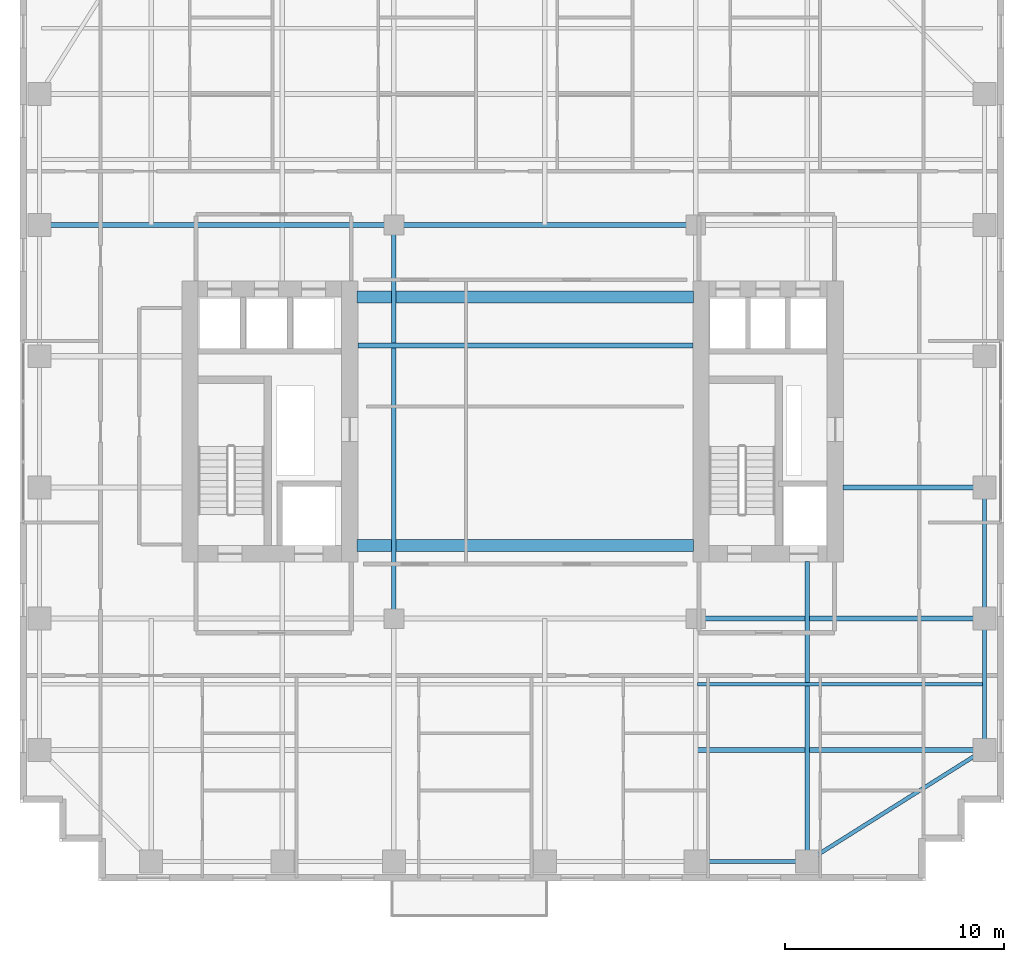
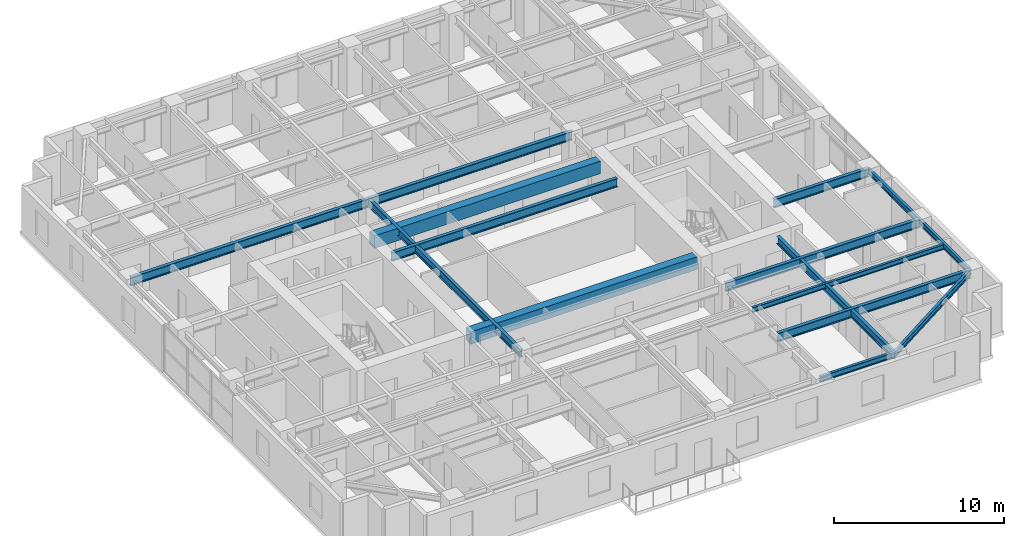
# One storey, part 3 of 15: 15 beams.
"""IFC4 building model written with IfcOpenShell, lengths in metres."""

from ifc_helpers import new_model, si_unit, direction, frame, origin, origin_2d, place, context, subcontext, project, spatial, rectangle, i_section, extrude, source, transform, mapped, material, material_profile, profile_set, type_object, element, save


model = new_model("IFC4")

# Units and contexts
model_context = context("Model", 3, precision=1e-05, world=origin(), true_north=direction((0.0, 1.0)))
body_context = subcontext(model_context, "Body", "Model", "MODEL_VIEW")
ifc_project = project(units=[si_unit("LENGTHUNIT", "METRE"), si_unit("AREAUNIT", "SQUARE_METRE"), si_unit("VOLUMEUNIT", "CUBIC_METRE"), si_unit("PLANEANGLEUNIT", "RADIAN"), si_unit("MASSUNIT", "GRAM", prefix="KILO")], contexts=[model_context])

# Site, building, storey
site_placement = place(None, origin())
site = spatial("IfcSite", under=ifc_project, at=site_placement, CompositionType="ELEMENT")
building_placement = place(site_placement, origin())
building = spatial("IfcBuilding", under=site, at=building_placement, Name="Khoralis Quay Care Tower", CompositionType="ELEMENT")
storey_placement = place(building_placement, frame((0.0, 0.0, 123.300048828125)))
storey = spatial("IfcBuildingStorey", under=building, at=storey_placement, Name="L32", CompositionType="ELEMENT", Elevation=123.300048828125)

# Beams
ifc_material_1 = material(Name="Concrete C65/80", Category="concrete")
ifc_material_profile_1 = material_profile(ifc_material_1, rectangle(XDim=0.550048828125, YDim=0.89990234375, at=origin_2d()), Name="Concrete C65/80")
ifc_profile_set_1 = profile_set([ifc_material_profile_1], Name="Concrete C65/80")
beam_type_1 = type_object("IfcBeamType", Name="CB-RC550X900", PredefinedType="LINTEL", material=ifc_profile_set_1)
shared_shape_1 = source(origin(), body_context, "Body", "SweptSolid", [
    extrude(rectangle(XDim=0.550048828125, YDim=0.89990234375, at=origin_2d()), origin(), (0.0, 0.0, 1.0), 15.380126953125),
])
for number, where, z_axis, x_axis, name in (
    (1, (15.419921875, 15.35009765625, 2.889892578125), (1.0, 0.0, 0.0), (0.0, 1.0, 0.0), "L32 South Core Coupling Lintel"),
    (2, (15.419921875, 26.699951171875, 2.889892578125), (1.0, 0.0, 0.0), (0.0, 1.0, 0.0), "L32 North Core Coupling Lintel"),
):
    element("IfcBeam", number, at=place(storey_placement, frame(where, z_axis=z_axis, x_axis=x_axis)), inside=storey, type_object=beam_type_1, Name=name, PredefinedType="LINTEL", context=body_context, shape_type="MappedRepresentation", body=[
        mapped(shared_shape_1, transform((0.0, 0.0, 0.0), scale=1.0)),
    ])
ifc_material_2 = material(Name="Steel S355", Category="steel")
ifc_material_profile_2 = material_profile(ifc_material_2, i_section(OverallWidth=0.179931640625, OverallDepth=0.39990234375, WebThickness=0.008544921875, FlangeThickness=0.013427734375, FilletRadius=0.02099609375, at=origin_2d()), Name="Steel S355")
ifc_profile_set_2 = profile_set([ifc_material_profile_2], Name="Steel S355")
beam_type_2 = type_object("IfcBeamType", Name="BM-IPE400", PredefinedType="SPANDREL", material=ifc_profile_set_2)
shared_shape_2 = source(origin(), body_context, "Body", "SweptSolid", [
    extrude(i_section(OverallWidth=0.179931640625, OverallDepth=0.39990234375, WebThickness=0.008544921875, FlangeThickness=0.013427734375, FilletRadius=0.02099609375, at=origin_2d()), origin(), (0.0, 0.0, 1.0), 6.0),
])
for number, where, z_axis, x_axis, name in (
    (3, (44.10009765625, 6.0, 3.139892578125), (0.0, 1.0, 0.0), (-1.0, 0.0, 0.0), "BM-TSP-L32-16"),
    (4, (44.10009765625, 12.0, 3.139892578125), (0.0, 1.0, 0.0), (-1.0, 0.0, 0.0), "BM-TSP-L32-17"),
):
    element("IfcBeam", number, at=place(storey_placement, frame(where, z_axis=z_axis, x_axis=x_axis)), inside=storey, type_object=beam_type_2, Name=name, PredefinedType="SPANDREL", context=body_context, shape_type="MappedRepresentation", body=[
        mapped(shared_shape_2, transform((0.0, 0.0, 0.0), scale=1.0)),
    ])
shared_shape_3 = source(origin(), body_context, "Body", "SweptSolid", [
    extrude(i_section(OverallWidth=0.179931640625, OverallDepth=0.39990234375, WebThickness=0.008544921875, FlangeThickness=0.013427734375, FilletRadius=0.02099609375, at=origin_2d()), origin(), (0.0, 0.0, 1.0), 5.10009765625),
])
beam_1_placement = place(storey_placement, frame((30.89990234375, 0.89990234375, 3.139892578125), z_axis=(1.0, 0.0, 0.0), x_axis=(0.0, 1.0, 0.0)))
element("IfcBeam", 5, at=beam_1_placement, inside=storey, type_object=beam_type_2, Name="BM-TSP-L32-05", PredefinedType="SPANDREL", context=body_context, shape_type="MappedRepresentation", body=[
    mapped(shared_shape_3, transform((0.0, 0.0, 0.0), scale=1.0)),
])
shared_shape_4 = source(origin(), body_context, "Body", "SweptSolid", [
    extrude(i_section(OverallWidth=0.179931640625, OverallDepth=0.39990234375, WebThickness=0.008544921875, FlangeThickness=0.013427734375, FilletRadius=0.02099609375, at=origin_2d()), origin(), (0.0, 0.0, 1.0), 9.572021484375),
])
beam_2_placement = place(storey_placement, frame((36.0, 0.89990234375, 3.139892578125), z_axis=(0.846231136359, 0.532815975602, 0.0), x_axis=(-0.532815975602, 0.846231136359, 0.0)))
element("IfcBeam", 6, at=beam_2_placement, inside=storey, type_object=beam_type_2, Name="BM-TCR-L32-22", PredefinedType="SPANDREL", context=body_context, shape_type="MappedRepresentation", body=[
    mapped(shared_shape_4, transform((0.0, 0.0, 0.0), scale=1.0)),
])
ifc_material_profile_3 = material_profile(ifc_material_2, i_section(OverallWidth=0.22998046875, OverallDepth=0.616943359375, WebThickness=0.01318359375, FlangeThickness=0.022216796875, FilletRadius=0.01806640625, at=origin_2d()), Name="Steel S355")
ifc_profile_set_3 = profile_set([ifc_material_profile_3], Name="Steel S355")
beam_type_3 = type_object("IfcBeamType", Name="BM-W610X140", PredefinedType="BEAM", material=ifc_profile_set_3)
shared_shape_5 = source(origin(), body_context, "Body", "SweptSolid", [
    extrude(i_section(OverallWidth=0.22998046875, OverallDepth=0.616943359375, WebThickness=0.01318359375, FlangeThickness=0.022216796875, FilletRadius=0.01806640625, at=origin_2d()), origin(), (0.0, 0.0, 1.0), 16.2001953125),
])
beam_3_placement = place(storey_placement, frame((0.89990234375, 30.0, 3.031494140625), z_axis=(1.0, 0.0, 0.0), x_axis=(0.0, 1.0, 0.0)))
element("IfcBeam", 7, at=beam_3_placement, inside=storey, type_object=beam_type_3, Name="BM-TGXW-L32-300", PredefinedType="BEAM", context=body_context, shape_type="MappedRepresentation", body=[
    mapped(shared_shape_5, transform((0.0, 0.0, 0.0), scale=1.0)),
])
shared_shape_6 = source(origin(), body_context, "Body", "SweptSolid", [
    extrude(i_section(OverallWidth=0.22998046875, OverallDepth=0.616943359375, WebThickness=0.01318359375, FlangeThickness=0.022216796875, FilletRadius=0.01806640625, at=origin_2d()), origin(), (0.0, 0.0, 1.0), 13.106201171875),
])
beam_4_placement = place(storey_placement, frame((30.993896484375, 6.0, 3.031494140625), z_axis=(1.0, 0.0, 0.0), x_axis=(0.0, 1.0, 0.0)))
element("IfcBeam", 8, at=beam_4_placement, inside=storey, type_object=beam_type_3, Name="BM-TGXE-L32-60", PredefinedType="BEAM", context=body_context, shape_type="MappedRepresentation", body=[
    mapped(shared_shape_6, transform((0.0, 0.0, 0.0), scale=1.0)),
])
shared_shape_7 = source(origin(), body_context, "Body", "SweptSolid", [
    extrude(i_section(OverallWidth=0.22998046875, OverallDepth=0.616943359375, WebThickness=0.01318359375, FlangeThickness=0.022216796875, FilletRadius=0.01806640625, at=origin_2d()), origin(), (0.0, 0.0, 1.0), 13.2001953125),
])
beam_5_placement = place(storey_placement, frame((30.89990234375, 12.0, 3.031494140625), z_axis=(1.0, 0.0, 0.0), x_axis=(0.0, 1.0, 0.0)))
element("IfcBeam", 9, at=beam_5_placement, inside=storey, type_object=beam_type_3, Name="BM-TGXE-L32-120", PredefinedType="BEAM", context=body_context, shape_type="MappedRepresentation", body=[
    mapped(shared_shape_7, transform((0.0, 0.0, 0.0), scale=1.0)),
])
shared_shape_8 = source(origin(), body_context, "Body", "SweptSolid", [
    extrude(i_section(OverallWidth=0.22998046875, OverallDepth=0.616943359375, WebThickness=0.01318359375, FlangeThickness=0.022216796875, FilletRadius=0.01806640625, at=origin_2d()), origin(), (0.0, 0.0, 1.0), 6.4521484375),
])
beam_6_placement = place(storey_placement, frame((37.64794921875, 18.0, 3.031494140625), z_axis=(1.0, 0.0, 0.0), x_axis=(0.0, 1.0, 0.0)))
element("IfcBeam", 10, at=beam_6_placement, inside=storey, type_object=beam_type_3, Name="BM-TGXE-L32-180", PredefinedType="BEAM", context=body_context, shape_type="MappedRepresentation", body=[
    mapped(shared_shape_8, transform((0.0, 0.0, 0.0), scale=1.0)),
])
shared_shape_9 = source(origin(), body_context, "Body", "SweptSolid", [
    extrude(i_section(OverallWidth=0.22998046875, OverallDepth=0.616943359375, WebThickness=0.01318359375, FlangeThickness=0.022216796875, FilletRadius=0.01806640625, at=origin_2d()), origin(), (0.0, 0.0, 1.0), 13.7998046875),
])
beam_7_placement = place(storey_placement, frame((17.10009765625, 30.0, 3.031494140625), z_axis=(1.0, 0.0, 0.0), x_axis=(0.0, 1.0, 0.0)))
element("IfcBeam", 11, at=beam_7_placement, inside=storey, type_object=beam_type_3, Name="BM-TGCC-L32-300", PredefinedType="BEAM", context=body_context, shape_type="MappedRepresentation", body=[
    mapped(shared_shape_9, transform((0.0, 0.0, 0.0), scale=1.0)),
])
shared_shape_10 = source(origin(), body_context, "Body", "SweptSolid", [
    extrude(i_section(OverallWidth=0.22998046875, OverallDepth=0.616943359375, WebThickness=0.01318359375, FlangeThickness=0.022216796875, FilletRadius=0.01806640625, at=origin_2d()), origin(), (0.0, 0.0, 1.0), 15.323974609375),
])
beam_8_placement = place(storey_placement, frame((15.447998046875, 24.5, 3.031494140625), z_axis=(1.0, 0.0, 0.0), x_axis=(0.0, 1.0, 0.0)))
element("IfcBeam", 12, at=beam_8_placement, inside=storey, type_object=beam_type_3, Name="BM-TGCC-L32-245", PredefinedType="BEAM", context=body_context, shape_type="MappedRepresentation", body=[
    mapped(shared_shape_10, transform((0.0, 0.0, 0.0), scale=1.0)),
])
ifc_material_profile_4 = material_profile(ifc_material_2, i_section(OverallWidth=0.2119140625, OverallDepth=0.5439453125, WebThickness=0.01318359375, FlangeThickness=0.021240234375, FilletRadius=0.01611328125, at=origin_2d()), Name="Steel S355")
ifc_profile_set_4 = profile_set([ifc_material_profile_4], Name="Steel S355")
beam_type_4 = type_object("IfcBeamType", Name="BM-W530X123", PredefinedType="BEAM", material=ifc_profile_set_4)
shared_shape_11 = source(origin(), body_context, "Body", "SweptSolid", [
    extrude(i_section(OverallWidth=0.2119140625, OverallDepth=0.5439453125, WebThickness=0.01318359375, FlangeThickness=0.021240234375, FilletRadius=0.01611328125, at=origin_2d()), origin(), (0.0, 0.0, 1.0), 13.7021484375),
])
beam_9_placement = place(storey_placement, frame((36.0, 0.89990234375, 3.06787109375), z_axis=(0.0, 1.0, 0.0), x_axis=(-1.0, 0.0, 0.0)))
element("IfcBeam", 13, at=beam_9_placement, inside=storey, type_object=beam_type_4, Name="BM-TGYS-L32-360", PredefinedType="BEAM", context=body_context, shape_type="MappedRepresentation", body=[
    mapped(shared_shape_11, transform((0.0, 0.0, 0.0), scale=1.0)),
])
shared_shape_12 = source(origin(), body_context, "Body", "SweptSolid", [
    extrude(i_section(OverallWidth=0.2119140625, OverallDepth=0.5439453125, WebThickness=0.01318359375, FlangeThickness=0.021240234375, FilletRadius=0.01611328125, at=origin_2d()), origin(), (0.0, 0.0, 1.0), 18.0),
])
beam_10_placement = place(storey_placement, frame((17.10009765625, 12.0, 3.06787109375), z_axis=(0.0, 1.0, 0.0), x_axis=(-1.0, 0.0, 0.0)))
element("IfcBeam", 14, at=beam_10_placement, inside=storey, type_object=beam_type_4, Name="BM-TGSW-L32", PredefinedType="BEAM", context=body_context, shape_type="MappedRepresentation", body=[
    mapped(shared_shape_12, transform((0.0, 0.0, 0.0), scale=1.0)),
])
ifc_material_profile_5 = material_profile(ifc_material_2, i_section(OverallWidth=0.1708984375, OverallDepth=0.35498046875, WebThickness=0.007080078125, FlangeThickness=0.01171875, FilletRadius=0.012939453125, at=origin_2d()), Name="Steel S355")
ifc_profile_set_5 = profile_set([ifc_material_profile_5], Name="Steel S355")
beam_type_5 = type_object("IfcBeamType", Name="BM-W360X51", PredefinedType="JOIST", material=ifc_profile_set_5)
shared_shape_13 = source(origin(), body_context, "Body", "SweptSolid", [
    extrude(i_section(OverallWidth=0.1708984375, OverallDepth=0.35498046875, WebThickness=0.007080078125, FlangeThickness=0.01171875, FilletRadius=0.012939453125, at=origin_2d()), origin(), (0.0, 0.0, 1.0), 13.030029296875),
])
beam_11_placement = place(storey_placement, frame((30.993896484375, 9.0, 3.162353515625), z_axis=(1.0, 0.0, 0.0), x_axis=(0.0, 1.0, 0.0)))
element("IfcBeam", 15, at=beam_11_placement, inside=storey, type_object=beam_type_5, Name="BM-TJS-L32-26", PredefinedType="JOIST", context=body_context, shape_type="MappedRepresentation", body=[
    mapped(shared_shape_13, transform((0.0, 0.0, 0.0), scale=1.0)),
])

save(model, "model.ifc")
